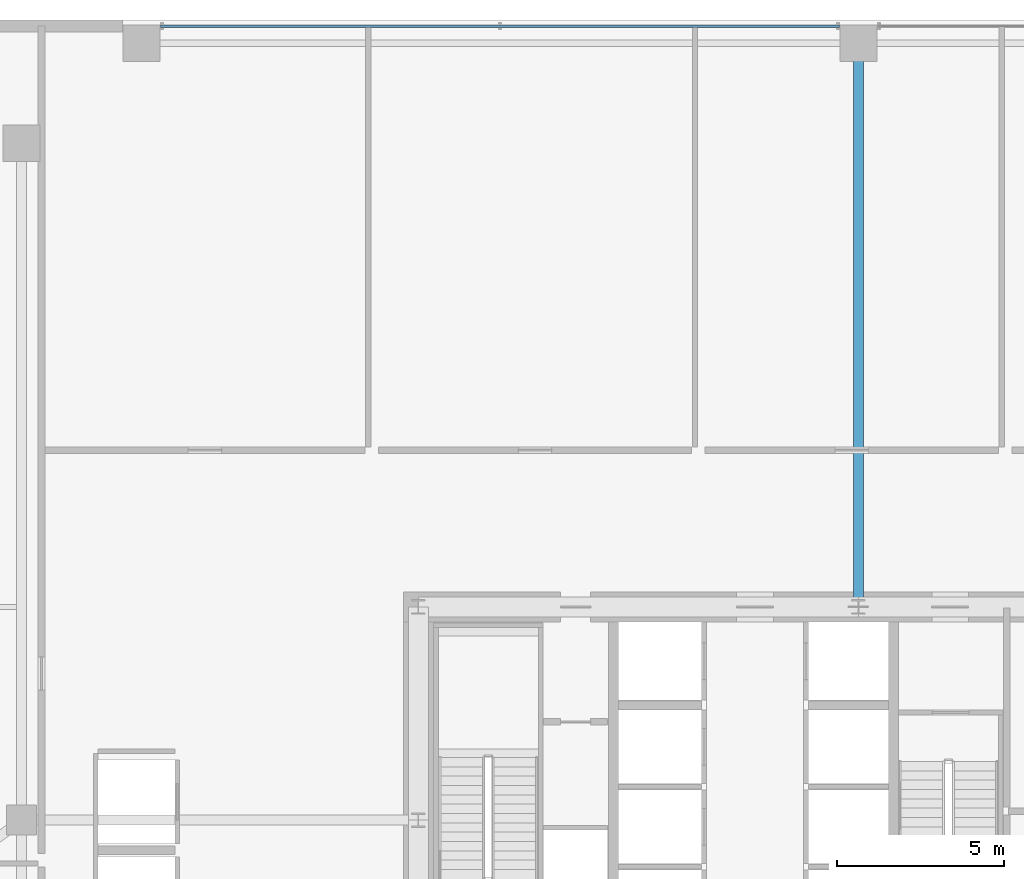
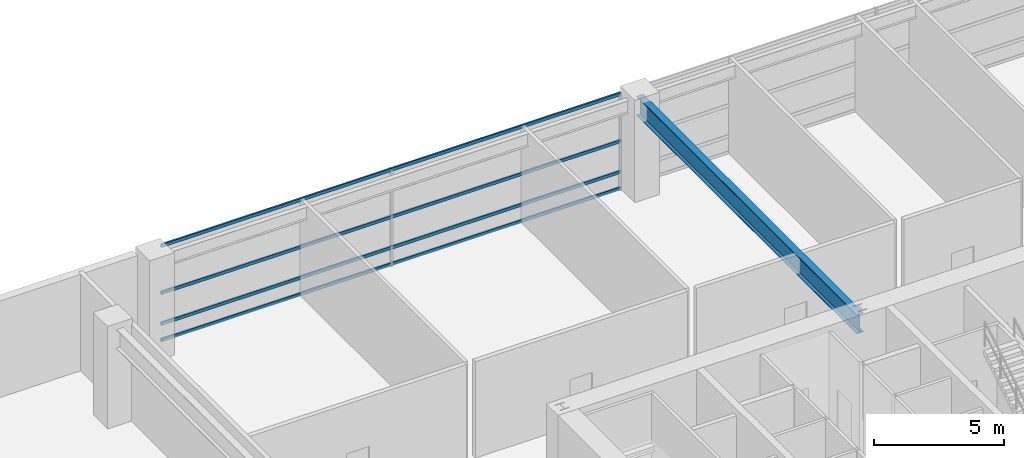
# One storey, part 22 of 39: 4 members, 1 beam, 1 element without a shape of its own.
"""IFC4 building model written with IfcOpenShell, lengths in metres."""

from ifc_helpers import new_model, si_unit, direction, frame, origin, origin_2d, place, context, subcontext, project, spatial, hollow_rectangle, i_section, extrude, source, transform, mapped, material, layer, layer_set, material_profile, profile_set, type_object, element, aggregate, save


model = new_model("IFC4")

# Units and contexts
model_context = context("Model", 3, precision=1e-05, world=origin(), true_north=direction((0.0, 1.0)))
body_context = subcontext(model_context, "Body", "Model", "MODEL_VIEW")
ifc_project = project(units=[si_unit("LENGTHUNIT", "METRE"), si_unit("AREAUNIT", "SQUARE_METRE"), si_unit("VOLUMEUNIT", "CUBIC_METRE"), si_unit("PLANEANGLEUNIT", "RADIAN"), si_unit("MASSUNIT", "GRAM", prefix="KILO"), si_unit("THERMODYNAMICTEMPERATUREUNIT", "KELVIN"), si_unit("POWERUNIT", "WATT")], contexts=[model_context])

# Site, building, storey
site_placement = place(None, origin())
site = spatial("IfcSite", under=ifc_project, at=site_placement, CompositionType="ELEMENT")
building_placement = place(site_placement, origin())
building = spatial("IfcBuilding", under=site, at=building_placement, Name="Yuzanri Waterfront Tower", CompositionType="ELEMENT")
storey_placement = place(building_placement, frame((0.0, 0.0, 15.0)))
storey = spatial("IfcBuildingStorey", under=building, at=storey_placement, Name="L04", CompositionType="ELEMENT", Elevation=15.0)

# Beam
ifc_material_1 = material(Name="Steel Q355B", Category="steel")
ifc_material_profile_1 = material_profile(ifc_material_1, i_section(OverallWidth=0.300048828125, OverallDepth=0.89990234375, WebThickness=0.01611328125, FlangeThickness=0.028076171875, at=origin_2d()), Name="HN 900x300x16x28")
ifc_profile_set_1 = profile_set([ifc_material_profile_1], Name="Steel Q355B")
beam_type = type_object("IfcBeamType", Name="Primary Podium Girder Q355B HN 900x300", PredefinedType="BEAM", material=ifc_profile_set_1)
shared_shape_1 = source(origin(), body_context, "Body", "SweptSolid", [
    extrude(i_section(OverallWidth=0.300048828125, OverallDepth=0.89990234375, WebThickness=0.01611328125, FlangeThickness=0.028076171875, at=origin_2d()), origin(), (0.0, 0.0, 1.0), 16.900146484375),
])
beam_placement = place(storey_placement, frame((37.0, 32.199951171875, 4.070068359375), z_axis=(0.0, 1.0, 0.0), x_axis=(-1.0, 0.0, 0.0)))
element("IfcBeam", 1, at=beam_placement, inside=storey, type_object=beam_type, Name="L04 North Core Link Girder", PredefinedType="BEAM", context=body_context, shape_type="MappedRepresentation", body=[
    mapped(shared_shape_1, transform((0.0, 0.0, 0.0), scale=1.0)),
])

# Curtain wall, members
ifc_material_2 = material(Name="Anodized Architectural Bronze", Category="metal")
ifc_layer = layer(ifc_material_2, 0.159912109375)
ifc_layer_set = layer_set([ifc_layer], Name="Anodized Architectural Bronze")
curtain_wall_type = type_object("IfcCurtainWallType", Name="Anodized Bronze Podium Waterfront Double-Height Unitized Curtain Wall 8400", PredefinedType="NOTDEFINED", material=ifc_layer_set)
curtain_wall_placement = place(storey_placement, origin())
curtain_wall = element("IfcCurtainWall", 2, at=curtain_wall_placement, inside=storey, type_object=curtain_wall_type, Name="L04 Curtain Wall CW-L04-N1", PredefinedType="NOTDEFINED")
ifc_material_3 = material(Name="Anodized Architectural Bronze", Category="metal")
ifc_material_profile_2 = material_profile(ifc_material_3, hollow_rectangle(XDim=0.074951171875, YDim=0.14990234375, WallThickness=0.00390625, at=origin_2d()), Name="CWT 75x150")
ifc_profile_set_2 = profile_set([ifc_material_profile_2], Name="Anodized Architectural Bronze")
member_type = type_object("IfcMemberType", Name="Anodized Bronze Primary Curtain-Wall Transom 75x150", PredefinedType="USERDEFINED", material=ifc_profile_set_2)
shared_shape_2 = source(origin(), body_context, "Body", "SweptSolid", [
    extrude(hollow_rectangle(XDim=0.074951171875, YDim=0.14990234375, WallThickness=0.00390625, at=origin_2d()), origin(), (0.0, 0.0, 1.0), 20.35986328125),
])
member_1_placement = place(storey_placement, frame((16.070068359375, 49.6201171875, 0.050048828125), z_axis=(1.0, 0.0, 0.0), x_axis=(0.0, 1.0, 0.0)))
member_1 = element("IfcMember", 3, at=member_1_placement, type_object=member_type, Name="CW-L04-N1 Transom 1", ObjectType="TRANSOM", PredefinedType="USERDEFINED", context=body_context, shape_type="MappedRepresentation", body=[
    mapped(shared_shape_2, transform((0.0, 0.0, 0.0), scale=1.0)),
])
member_2_placement = place(storey_placement, frame((16.070068359375, 49.6201171875, 0.820068359375), z_axis=(1.0, 0.0, 0.0), x_axis=(0.0, 1.0, 0.0)))
member_2 = element("IfcMember", 4, at=member_2_placement, type_object=member_type, Name="CW-L04-N1 Transom 2", ObjectType="TRANSOM", PredefinedType="USERDEFINED", context=body_context, shape_type="MappedRepresentation", body=[
    mapped(shared_shape_2, transform((0.0, 0.0, 0.0), scale=1.0)),
])
member_3_placement = place(storey_placement, frame((16.070068359375, 49.6201171875, 2.260009765625), z_axis=(1.0, 0.0, 0.0), x_axis=(0.0, 1.0, 0.0)))
member_3 = element("IfcMember", 5, at=member_3_placement, type_object=member_type, Name="CW-L04-N1 Transom 3", ObjectType="TRANSOM", PredefinedType="USERDEFINED", context=body_context, shape_type="MappedRepresentation", body=[
    mapped(shared_shape_2, transform((0.0, 0.0, 0.0), scale=1.0)),
])
member_4_placement = place(storey_placement, frame((16.070068359375, 49.6201171875, 4.469970703125), z_axis=(1.0, 0.0, 0.0), x_axis=(0.0, 1.0, 0.0)))
member_4 = element("IfcMember", 6, at=member_4_placement, type_object=member_type, Name="CW-L04-N1 Transom 4", ObjectType="TRANSOM", PredefinedType="USERDEFINED", context=body_context, shape_type="MappedRepresentation", body=[
    mapped(shared_shape_2, transform((0.0, 0.0, 0.0), scale=1.0)),
])
aggregate(curtain_wall, [member_1, member_2, member_3, member_4])

save(model, "model.ifc")
